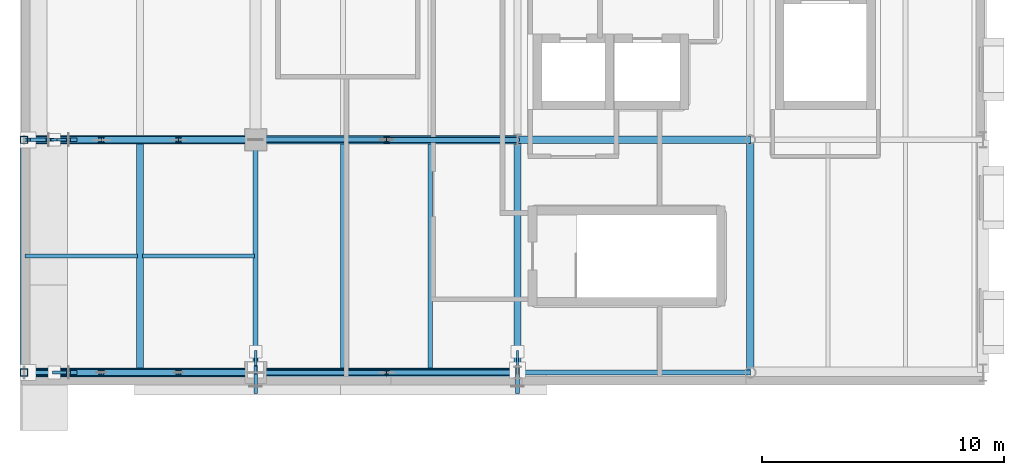
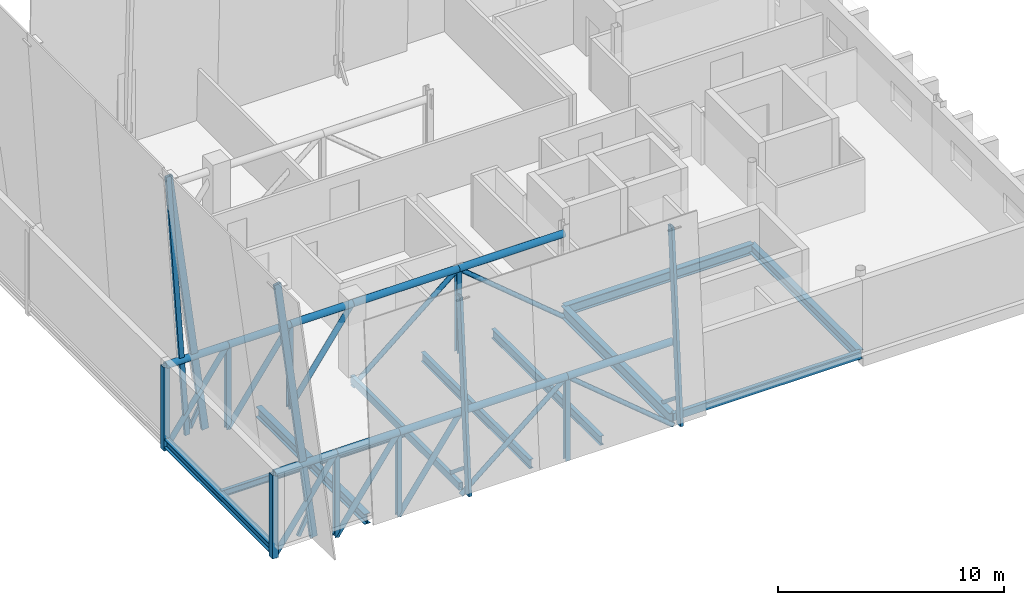
# One storey, part 2 of 10: 38 members, 11 beams.
"""IFC4 building model written with IfcOpenShell, lengths in metres."""

from ifc_helpers import new_model, si_unit, direction, frame, origin, origin_2d, place, context, subcontext, project, spatial, hollow_rectangle, hollow_circle, i_section, extrude, material, material_profile, profile_set, type_object, element, save


model = new_model("IFC4")

# Units and contexts
model_context = context("Model", 3, precision=1e-05, world=origin(), true_north=direction((0.0, 1.0)))
body_context = subcontext(model_context, "Body", "Model", "MODEL_VIEW")
ifc_project = project(units=[si_unit("LENGTHUNIT", "METRE"), si_unit("AREAUNIT", "SQUARE_METRE"), si_unit("VOLUMEUNIT", "CUBIC_METRE"), si_unit("PLANEANGLEUNIT", "RADIAN"), si_unit("MASSUNIT", "GRAM", prefix="KILO")], contexts=[model_context])

# Site, building, storey
site_placement = place(None, origin())
site = spatial("IfcSite", under=ifc_project, at=site_placement, CompositionType="ELEMENT")
building_placement = place(site_placement, origin())
building = spatial("IfcBuilding", under=site, at=building_placement, Name="Zereglee Splitstone Museum", CompositionType="ELEMENT")
storey_placement = place(building_placement, frame((0.0, 0.0, 25.5)))
storey = spatial("IfcBuildingStorey", under=building, at=storey_placement, Name="L05", CompositionType="ELEMENT", Elevation=25.5)

# Members
ifc_material_1 = material(Name="Steel S355J2H", Category="steel")
ifc_material_profile_1 = material_profile(ifc_material_1, hollow_circle(Radius=0.122314453125, WallThickness=0.012451171875, at=origin_2d()), Name="CHS 244.5x12.5")
ifc_profile_set_1 = profile_set([ifc_material_profile_1], Name="Steel S355J2H")
member_type_1 = type_object("IfcMemberType", Name="TB-02", PredefinedType="BRACE", material=ifc_profile_set_1)
for number, where, z_axis, x_axis, name in (
    (1, (9.60009765625, 0.0, -0.89990234375), (0.768215585699, 0.0, 0.640191232281), (0.0, 1.0, 0.0), "Cantilever Truss CT-01 Web Brace L05-4"),
    (2, (20.39990234375, 0.0, -0.89990234375), (-0.768215585699, 0.0, 0.640191232281), (0.0, -1.0, 0.0), "Cantilever Truss CT-01 Web Brace L05-5"),
    (3, (9.60009765625, 9.60009765625, -0.89990234375), (0.768215585699, 0.0, 0.640191232281), (0.0, 1.0, 0.0), "Cantilever Truss CT-02 Web Brace L05-4"),
    (4, (20.39990234375, 9.60009765625, -0.89990234375), (-0.768215585699, 0.0, 0.640191232281), (0.0, -1.0, 0.0), "Cantilever Truss CT-02 Web Brace L05-5"),
):
    element("IfcMember", number, at=place(storey_placement, frame(where, z_axis=z_axis, x_axis=x_axis)), inside=storey, type_object=member_type_1, Name=name, PredefinedType="BRACE", context=body_context, shape_type="SweptSolid", body=[
        extrude(hollow_circle(Radius=0.122314453125, WallThickness=0.012451171875, at=origin_2d()), origin(), (0.0, 0.0, 1.0), 7.029052734375),
    ])
ifc_material_profile_2 = material_profile(ifc_material_1, hollow_circle(Radius=0.136474609375, WallThickness=0.012451171875, at=origin_2d()), Name="CHS 273.0x12.5")
ifc_profile_set_2 = profile_set([ifc_material_profile_2], Name="Steel S355J2H")
member_type_2 = type_object("IfcMemberType", Name="TB-01", PredefinedType="BRACE", material=ifc_profile_set_2)
for number, where, z_axis, x_axis, name in (
    (5, (0.050048828125, 0.0, -0.89990234375), (0.577515842543, 0.0, 0.816379477701), (0.0, 1.0, 0.0), "Cantilever Truss CT-01 Web Brace L05-1"),
    (6, (3.2333984375, 0.0, -0.89990234375), (0.577515842543, 0.0, 0.816379477701), (0.0, 1.0, 0.0), "Cantilever Truss CT-01 Web Brace L05-2"),
    (7, (6.416748046875, 0.0, -0.89990234375), (0.577515842543, 0.0, 0.816379477701), (0.0, 1.0, 0.0), "Cantilever Truss CT-01 Web Brace L05-3"),
    (8, (0.050048828125, 9.60009765625, -0.89990234375), (0.577515842543, 0.0, 0.816379477701), (0.0, 1.0, 0.0), "Cantilever Truss CT-02 Web Brace L05-1"),
    (9, (3.2333984375, 9.60009765625, -0.89990234375), (0.577515842543, 0.0, 0.816379477701), (0.0, 1.0, 0.0), "Cantilever Truss CT-02 Web Brace L05-2"),
    (10, (6.416748046875, 9.60009765625, -0.89990234375), (0.577515842543, 0.0, 0.816379477701), (0.0, 1.0, 0.0), "Cantilever Truss CT-02 Web Brace L05-3"),
):
    element("IfcMember", number, at=place(storey_placement, frame(where, z_axis=z_axis, x_axis=x_axis)), inside=storey, type_object=member_type_2, Name=name, PredefinedType="BRACE", context=body_context, shape_type="SweptSolid", body=[
        extrude(hollow_circle(Radius=0.136474609375, WallThickness=0.012451171875, at=origin_2d()), origin(), (0.0, 0.0, 1.0), 5.51220703125),
    ])
ifc_material_profile_3 = material_profile(ifc_material_1, hollow_circle(Radius=0.177734375, WallThickness=0.01611328125, at=origin_2d()), Name="CHS 355.6x16")
ifc_profile_set_3 = profile_set([ifc_material_profile_3], Name="Steel S355J2H")
member_type_3 = type_object("IfcMemberType", Name="TC-04", PredefinedType="CHORD", material=ifc_profile_set_3)
for number, where, z_axis, x_axis, name in (
    (11, (0.050048828125, 0.0, 3.60009765625), (1.0, 0.0, 0.0), (0.0, 1.0, 0.0), "Cantilever Truss CT-01 Top Chord L05-1"),
    (12, (3.2333984375, 0.0, 3.60009765625), (1.0, 0.0, 0.0), (0.0, 1.0, 0.0), "Cantilever Truss CT-01 Top Chord L05-2"),
    (13, (6.416748046875, 0.0, 3.60009765625), (1.0, 0.0, 0.0), (0.0, 1.0, 0.0), "Cantilever Truss CT-01 Top Chord L05-3"),
):
    element("IfcMember", number, at=place(storey_placement, frame(where, z_axis=z_axis, x_axis=x_axis)), inside=storey, type_object=member_type_3, Name=name, PredefinedType="CHORD", context=body_context, shape_type="SweptSolid", body=[
        extrude(hollow_circle(Radius=0.177734375, WallThickness=0.01611328125, at=origin_2d()), origin(), (0.0, 0.0, 1.0), 3.183349609375),
    ])
for number, where, z_axis, x_axis, name in (
    (14, (9.60009765625, 0.0, 3.60009765625), (1.0, 0.0, 0.0), (0.0, 1.0, 0.0), "Cantilever Truss CT-01 Top Chord L05-4"),
    (15, (15.0, 0.0, 3.60009765625), (1.0, 0.0, 0.0), (0.0, 1.0, 0.0), "Cantilever Truss CT-01 Top Chord L05-5"),
):
    element("IfcMember", number, at=place(storey_placement, frame(where, z_axis=z_axis, x_axis=x_axis)), inside=storey, type_object=member_type_3, Name=name, PredefinedType="CHORD", context=body_context, shape_type="SweptSolid", body=[
        extrude(hollow_circle(Radius=0.177734375, WallThickness=0.01611328125, at=origin_2d()), origin(), (0.0, 0.0, 1.0), 5.39990234375),
    ])
for number, where, z_axis, x_axis, name in (
    (16, (0.050048828125, 9.60009765625, 3.60009765625), (1.0, 0.0, 0.0), (0.0, 1.0, 0.0), "Cantilever Truss CT-02 Top Chord L05-1"),
    (17, (3.2333984375, 9.60009765625, 3.60009765625), (1.0, 0.0, 0.0), (0.0, 1.0, 0.0), "Cantilever Truss CT-02 Top Chord L05-2"),
    (18, (6.416748046875, 9.60009765625, 3.60009765625), (1.0, 0.0, 0.0), (0.0, 1.0, 0.0), "Cantilever Truss CT-02 Top Chord L05-3"),
):
    element("IfcMember", number, at=place(storey_placement, frame(where, z_axis=z_axis, x_axis=x_axis)), inside=storey, type_object=member_type_3, Name=name, PredefinedType="CHORD", context=body_context, shape_type="SweptSolid", body=[
        extrude(hollow_circle(Radius=0.177734375, WallThickness=0.01611328125, at=origin_2d()), origin(), (0.0, 0.0, 1.0), 3.183349609375),
    ])
for number, where, z_axis, x_axis, name in (
    (19, (9.60009765625, 9.60009765625, 3.60009765625), (1.0, 0.0, 0.0), (0.0, 1.0, 0.0), "Cantilever Truss CT-02 Top Chord L05-4"),
    (20, (15.0, 9.60009765625, 3.60009765625), (1.0, 0.0, 0.0), (0.0, 1.0, 0.0), "Cantilever Truss CT-02 Top Chord L05-5"),
):
    element("IfcMember", number, at=place(storey_placement, frame(where, z_axis=z_axis, x_axis=x_axis)), inside=storey, type_object=member_type_3, Name=name, PredefinedType="CHORD", context=body_context, shape_type="SweptSolid", body=[
        extrude(hollow_circle(Radius=0.177734375, WallThickness=0.01611328125, at=origin_2d()), origin(), (0.0, 0.0, 1.0), 5.39990234375),
    ])

# Beams
ifc_material_2 = material(Name="Steel S355J2", Category="steel")
ifc_material_profile_4 = material_profile(ifc_material_2, i_section(OverallWidth=0.300048828125, OverallDepth=0.5, WebThickness=0.014404296875, FlangeThickness=0.028076171875, FilletRadius=0.027099609375, at=origin_2d()), Name="HE 500 B")
ifc_profile_set_4 = profile_set([ifc_material_profile_4], Name="Steel S355J2")
beam_type_1 = type_object("IfcBeamType", Name="BG-12", PredefinedType="BEAM", material=ifc_profile_set_4)
beam_1_placement = place(storey_placement, frame((30.0, 0.0, -0.5), z_axis=(0.0, 1.0, 0.0), x_axis=(-1.0, 0.0, 0.0)))
element("IfcBeam", 21, at=beam_1_placement, inside=storey, type_object=beam_type_1, Name="Primary Girder L05 5 (0.0-9.6)", PredefinedType="BEAM", context=body_context, shape_type="SweptSolid", body=[
    extrude(i_section(OverallWidth=0.300048828125, OverallDepth=0.5, WebThickness=0.014404296875, FlangeThickness=0.028076171875, FilletRadius=0.027099609375, at=origin_2d()), origin(), (0.0, 0.0, 1.0), 9.60009765625),
])
ifc_material_profile_5 = material_profile(ifc_material_2, i_section(OverallWidth=0.300048828125, OverallDepth=0.550048828125, WebThickness=0.014892578125, FlangeThickness=0.029052734375, FilletRadius=0.027099609375, at=origin_2d()), Name="HE 550 B")
ifc_profile_set_5 = profile_set([ifc_material_profile_5], Name="Steel S355J2")
beam_type_2 = type_object("IfcBeamType", Name="BG-11", PredefinedType="BEAM", material=ifc_profile_set_5)
for number, where, z_axis, x_axis, name in (
    (22, (20.39990234375, 9.60009765625, -0.52490234375), (1.0, 0.0, 0.0), (0.0, 1.0, 0.0), "Primary Girder L05 B (20.4-30.0)"),
    (23, (4.824951171875, 0.0, -0.52490234375), (0.0, 1.0, 0.0), (-1.0, 0.0, 0.0), "Cantilever Transverse Girder L05 X=4.83"),
):
    element("IfcBeam", number, at=place(storey_placement, frame(where, z_axis=z_axis, x_axis=x_axis)), inside=storey, type_object=beam_type_2, Name=name, PredefinedType="BEAM", context=body_context, shape_type="SweptSolid", body=[
        extrude(i_section(OverallWidth=0.300048828125, OverallDepth=0.550048828125, WebThickness=0.014892578125, FlangeThickness=0.029052734375, FilletRadius=0.027099609375, at=origin_2d()), origin(), (0.0, 0.0, 1.0), 9.60009765625),
    ])
ifc_material_profile_6 = material_profile(ifc_material_2, i_section(OverallWidth=0.300048828125, OverallDepth=0.64990234375, WebThickness=0.01611328125, FlangeThickness=0.031005859375, FilletRadius=0.027099609375, at=origin_2d()), Name="HE 650 B")
ifc_profile_set_6 = profile_set([ifc_material_profile_6], Name="Steel S355J2")
beam_type_3 = type_object("IfcBeamType", Name="BG-09", PredefinedType="BEAM", material=ifc_profile_set_6)
beam_2_placement = place(storey_placement, frame((20.39990234375, 0.0, -0.574951171875), z_axis=(0.0, 1.0, 0.0), x_axis=(-1.0, 0.0, 0.0)))
element("IfcBeam", 24, at=beam_2_placement, inside=storey, type_object=beam_type_3, Name="Primary Girder L05 4 (0.0-9.6)", PredefinedType="BEAM", context=body_context, shape_type="SweptSolid", body=[
    extrude(i_section(OverallWidth=0.300048828125, OverallDepth=0.64990234375, WebThickness=0.01611328125, FlangeThickness=0.031005859375, FilletRadius=0.027099609375, at=origin_2d()), origin(), (0.0, 0.0, 1.0), 9.60009765625),
])
ifc_material_profile_7 = material_profile(ifc_material_2, i_section(OverallWidth=0.169921875, OverallDepth=0.360107421875, WebThickness=0.008056640625, FlangeThickness=0.0126953125, FilletRadius=0.01806640625, at=origin_2d()), Name="IPE 360")
ifc_profile_set_7 = profile_set([ifc_material_profile_7], Name="Steel S355J2")
beam_type_4 = type_object("IfcBeamType", Name="BJ-04", PredefinedType="JOIST", material=ifc_profile_set_7)
beam_3_placement = place(storey_placement, frame((0.090087890625, 4.800048828125, -0.429931640625), z_axis=(1.0, 0.0, 0.0), x_axis=(0.0, 1.0, 0.0)))
element("IfcBeam", 25, at=beam_3_placement, inside=storey, type_object=beam_type_4, Name="Cantilever Floor Joist L05-1648", PredefinedType="JOIST", context=body_context, shape_type="SweptSolid", body=[
    extrude(i_section(OverallWidth=0.169921875, OverallDepth=0.360107421875, WebThickness=0.008056640625, FlangeThickness=0.0126953125, FilletRadius=0.01806640625, at=origin_2d()), origin(), (0.0, 0.0, 1.0), 4.635009765625),
])
beam_4_placement = place(storey_placement, frame((4.925048828125, 4.800048828125, -0.429931640625), z_axis=(1.0, 0.0, 0.0), x_axis=(0.0, 1.0, 0.0)))
element("IfcBeam", 26, at=beam_4_placement, inside=storey, type_object=beam_type_4, Name="Cantilever Floor Joist L05-1649", PredefinedType="JOIST", context=body_context, shape_type="SweptSolid", body=[
    extrude(i_section(OverallWidth=0.169921875, OverallDepth=0.360107421875, WebThickness=0.008056640625, FlangeThickness=0.0126953125, FilletRadius=0.01806640625, at=origin_2d()), origin(), (0.0, 0.0, 1.0), 4.625),
])
ifc_material_profile_8 = material_profile(ifc_material_2, i_section(OverallWidth=0.199951171875, OverallDepth=0.5, WebThickness=0.01025390625, FlangeThickness=0.01611328125, FilletRadius=0.02099609375, at=origin_2d()), Name="IPE 500")
ifc_profile_set_8 = profile_set([ifc_material_profile_8], Name="Steel S355J2")
beam_type_5 = type_object("IfcBeamType", Name="BJ-01", PredefinedType="JOIST", material=ifc_profile_set_8)
for number, where, z_axis, x_axis, name in (
    (27, (13.199951171875, 0.0, -0.5), (0.0, 1.0, 0.0), (-1.0, 0.0, 0.0), "Secondary Floor Joist L05-1583"),
    (28, (16.800048828125, 0.0, -0.5), (0.0, 1.0, 0.0), (-1.0, 0.0, 0.0), "Secondary Floor Joist L05-1584"),
):
    element("IfcBeam", number, at=place(storey_placement, frame(where, z_axis=z_axis, x_axis=x_axis)), inside=storey, type_object=beam_type_5, Name=name, PredefinedType="JOIST", context=body_context, shape_type="SweptSolid", body=[
        extrude(i_section(OverallWidth=0.199951171875, OverallDepth=0.5, WebThickness=0.01025390625, FlangeThickness=0.01611328125, FilletRadius=0.02099609375, at=origin_2d()), origin(), (0.0, 0.0, 1.0), 9.60009765625),
    ])

# Members
ifc_material_profile_9 = material_profile(ifc_material_2, i_section(OverallWidth=0.239990234375, OverallDepth=0.239990234375, WebThickness=0.010009765625, FlangeThickness=0.01708984375, FilletRadius=0.02099609375, at=origin_2d()), Name="HE 240 B")
ifc_profile_set_9 = profile_set([ifc_material_profile_9], Name="Steel S355J2")
member_type_4 = type_object("IfcMemberType", Name="TP-02", PredefinedType="POST", material=ifc_profile_set_9)
for number, where, z_axis, x_axis, name in (
    (29, (3.2333984375, 0.0, -0.89990234375), (0.0, 0.0, 1.0), (1.0, 0.0, 0.0), "Cantilever Truss CT-01 Post L05-2"),
    (30, (6.416748046875, 0.0, -0.89990234375), (0.0, 0.0, 1.0), (1.0, 0.0, 0.0), "Cantilever Truss CT-01 Post L05-3"),
    (31, (15.0, 0.0, -0.89990234375), (0.0, 0.0, 1.0), (1.0, 0.0, 0.0), "Cantilever Truss CT-01 Post L05-4"),
    (32, (3.2333984375, 9.60009765625, -0.89990234375), (0.0, 0.0, 1.0), (1.0, 0.0, 0.0), "Cantilever Truss CT-02 Post L05-2"),
    (33, (6.416748046875, 9.60009765625, -0.89990234375), (0.0, 0.0, 1.0), (1.0, 0.0, 0.0), "Cantilever Truss CT-02 Post L05-3"),
    (34, (15.0, 9.60009765625, -0.89990234375), (0.0, 0.0, 1.0), (1.0, 0.0, 0.0), "Cantilever Truss CT-02 Post L05-4"),
):
    element("IfcMember", number, at=place(storey_placement, frame(where, z_axis=z_axis, x_axis=x_axis)), inside=storey, type_object=member_type_4, Name=name, PredefinedType="POST", context=body_context, shape_type="SweptSolid", body=[
        extrude(i_section(OverallWidth=0.239990234375, OverallDepth=0.239990234375, WebThickness=0.010009765625, FlangeThickness=0.01708984375, FilletRadius=0.02099609375, at=origin_2d()), origin(), (0.0, 0.0, 1.0), 4.5),
    ])
ifc_material_profile_10 = material_profile(ifc_material_1, hollow_rectangle(XDim=0.300048828125, YDim=0.300048828125, WallThickness=0.01611328125, at=origin_2d()), Name="SHS 300x300x16")
ifc_profile_set_10 = profile_set([ifc_material_profile_10], Name="Steel S355J2H")
member_type_5 = type_object("IfcMemberType", Name="TP-01", PredefinedType="POST", material=ifc_profile_set_10)
for number, where, z_axis, x_axis, name in (
    (35, (0.050048828125, 0.0, -0.89990234375), (0.0, 0.0, 1.0), (1.0, 0.0, 0.0), "Cantilever Truss CT-01 Post L05-1"),
    (36, (0.050048828125, 9.60009765625, -0.89990234375), (0.0, 0.0, 1.0), (1.0, 0.0, 0.0), "Cantilever Truss CT-02 Post L05-1"),
):
    element("IfcMember", number, at=place(storey_placement, frame(where, z_axis=z_axis, x_axis=x_axis)), inside=storey, type_object=member_type_5, Name=name, PredefinedType="POST", context=body_context, shape_type="SweptSolid", body=[
        extrude(hollow_rectangle(XDim=0.300048828125, YDim=0.300048828125, WallThickness=0.01611328125, at=origin_2d()), origin(), (0.0, 0.0, 1.0), 4.5),
    ])

# Beams
ifc_material_profile_11 = material_profile(ifc_material_2, i_section(OverallWidth=0.300048828125, OverallDepth=0.449951171875, WebThickness=0.013916015625, FlangeThickness=0.02587890625, FilletRadius=0.027099609375, at=origin_2d()), Name="HE 450 B")
ifc_profile_set_11 = profile_set([ifc_material_profile_11], Name="Steel S355J2")
beam_type_6 = type_object("IfcBeamType", Name="SP-02", PredefinedType="SPANDREL", material=ifc_profile_set_11)
beam_5_placement = place(storey_placement, frame((0.050048828125, 0.0, -0.47509765625), z_axis=(0.0, 1.0, 0.0), x_axis=(-1.0, 0.0, 0.0)))
element("IfcBeam", 37, at=beam_5_placement, inside=storey, type_object=beam_type_6, Name="Cantilever Transverse Girder L05 X=0.05", PredefinedType="SPANDREL", context=body_context, shape_type="SweptSolid", body=[
    extrude(i_section(OverallWidth=0.300048828125, OverallDepth=0.449951171875, WebThickness=0.013916015625, FlangeThickness=0.02587890625, FilletRadius=0.027099609375, at=origin_2d()), origin(), (0.0, 0.0, 1.0), 9.60009765625),
])
ifc_material_profile_12 = material_profile(ifc_material_1, hollow_rectangle(XDim=0.199951171875, YDim=0.39990234375, WallThickness=0.01611328125, at=origin_2d()), Name="RHS 400x200x16")
ifc_profile_set_12 = profile_set([ifc_material_profile_12], Name="Steel S355J2H")
beam_type_7 = type_object("IfcBeamType", Name="SP-04", PredefinedType="SPANDREL", material=ifc_profile_set_12)
for number, where, z_axis, x_axis, name in (
    (38, (20.39990234375, 0.0, -0.449951171875), (1.0, 0.0, 0.0), (0.0, 1.0, 0.0), "Primary Girder L05 A (20.4-30.0)"),
    (39, (9.60009765625, 0.0, -0.449951171875), (0.0, 1.0, 0.0), (-1.0, 0.0, 0.0), "Primary Girder L05 2 (0.0-9.6)"),
):
    element("IfcBeam", number, at=place(storey_placement, frame(where, z_axis=z_axis, x_axis=x_axis)), inside=storey, type_object=beam_type_7, Name=name, PredefinedType="SPANDREL", context=body_context, shape_type="SweptSolid", body=[
        extrude(hollow_rectangle(XDim=0.199951171875, YDim=0.39990234375, WallThickness=0.01611328125, at=origin_2d()), origin(), (0.0, 0.0, 1.0), 9.60009765625),
    ])

# Members
ifc_material_profile_13 = material_profile(ifc_material_1, hollow_rectangle(XDim=0.14990234375, YDim=0.25, WallThickness=0.010009765625, at=origin_2d()), Name="RHS 250x150x10")
ifc_profile_set_13 = profile_set([ifc_material_profile_13], Name="Steel S355J2H")
member_type_6 = type_object("IfcMemberType", Name="FS-R2", PredefinedType="STRUT", material=ifc_profile_set_13)
member_1_placement = place(storey_placement, frame((1.154296875, 9.60009765625, -0.5), z_axis=(-0.067700907333, 0.0, 0.997705661579), x_axis=(0.0, -1.0, 0.0)))
element("IfcMember", 40, at=member_1_placement, inside=storey, type_object=member_type_6, Name="Split-Rock Continuous Facet Strut FH-V1W-M L05-01", PredefinedType="STRUT", context=body_context, shape_type="SweptSolid", body=[
    extrude(hollow_rectangle(XDim=0.14990234375, YDim=0.25, WallThickness=0.010009765625, at=origin_2d()), origin(), (0.0, 0.0, 1.0), 14.31298828125),
])
ifc_material_profile_14 = material_profile(ifc_material_1, hollow_rectangle(XDim=0.14990234375, YDim=0.35009765625, WallThickness=0.012451171875, at=origin_2d()), Name="RHS 350x150x12.5")
ifc_profile_set_14 = profile_set([ifc_material_profile_14], Name="Steel S355J2H")
member_type_7 = type_object("IfcMemberType", Name="FS-R0", PredefinedType="STRUT", material=ifc_profile_set_14)
for number, where, z_axis, x_axis, name in (
    (41, (2.065673828125, 0.0, -0.5), (-0.128367822249, 0.0, 0.991726626753), (0.0, -1.0, 0.0), "Split-Rock Continuous Facet Strut FH-V1W-S L05-01"),
    (42, (2.065673828125, 9.60009765625, -0.5), (-0.128367822249, 0.0, 0.991726626753), (0.0, -1.0, 0.0), "Split-Rock Continuous Facet Strut FH-V1W-S L05-02"),
):
    element("IfcMember", number, at=place(storey_placement, frame(where, z_axis=z_axis, x_axis=x_axis)), inside=storey, type_object=member_type_7, Name=name, PredefinedType="STRUT", context=body_context, shape_type="SweptSolid", body=[
        extrude(hollow_rectangle(XDim=0.14990234375, YDim=0.35009765625, WallThickness=0.012451171875, at=origin_2d()), origin(), (0.0, 0.0, 1.0), 14.399169921875),
    ])
for number, where, z_axis, x_axis, name in (
    (43, (9.60009765625, -0.68212890625, -0.5), (0.0, 0.076814196174, 0.997045424876), (-1.0, 0.0, 0.0), "Split-Rock Continuous Facet Strut FH-V1S-W L05-01"),
    (44, (20.39990234375, -0.68212890625, -0.5), (0.0, 0.076814196174, 0.997045424876), (-1.0, 0.0, 0.0), "Split-Rock Continuous Facet Strut FH-V1S-W L05-02"),
):
    element("IfcMember", number, at=place(storey_placement, frame(where, z_axis=z_axis, x_axis=x_axis)), inside=storey, type_object=member_type_7, Name=name, PredefinedType="STRUT", context=body_context, shape_type="SweptSolid", body=[
        extrude(hollow_rectangle(XDim=0.14990234375, YDim=0.35009765625, WallThickness=0.012451171875, at=origin_2d()), origin(), (0.0, 0.0, 1.0), 10.310546875),
    ])
ifc_material_profile_15 = material_profile(ifc_material_1, hollow_rectangle(XDim=0.10009765625, YDim=0.179931640625, WallThickness=0.008056640625, at=origin_2d()), Name="RHS 180x100x8")
ifc_profile_set_15 = profile_set([ifc_material_profile_15], Name="Steel S355J2H")
member_type_8 = type_object("IfcMemberType", Name="FS-T2", PredefinedType="STRUT", material=ifc_profile_set_15)
for number, where, z_axis, x_axis, name in (
    (45, (9.60009765625, 0.85009765625, -0.2099609375), (0.0, -0.774556042247, 0.632505286475), (1.0, 0.0, 0.0), "Facet Tie-Back Strut FH-V1S-W L05-01"),
    (46, (20.39990234375, 0.85009765625, -0.2099609375), (0.0, -0.774556042247, 0.632505286475), (1.0, 0.0, 0.0), "Facet Tie-Back Strut FH-V1S-W L05-02"),
):
    element("IfcMember", number, at=place(storey_placement, frame(where, z_axis=z_axis, x_axis=x_axis)), inside=storey, type_object=member_type_8, Name=name, PredefinedType="STRUT", context=body_context, shape_type="SweptSolid", body=[
        extrude(hollow_rectangle(XDim=0.10009765625, YDim=0.179931640625, WallThickness=0.008056640625, at=origin_2d()), origin(), (0.0, 0.0, 1.0), 1.833740234375),
    ])
ifc_material_profile_16 = material_profile(ifc_material_1, hollow_rectangle(XDim=0.1201171875, YDim=0.199951171875, WallThickness=0.008056640625, at=origin_2d()), Name="RHS 200x120x8")
ifc_profile_set_16 = profile_set([ifc_material_profile_16], Name="Steel S355J2H")
member_type_9 = type_object("IfcMemberType", Name="FS-T1", PredefinedType="STRUT", material=ifc_profile_set_16)
for number, where, z_axis, x_axis, name in (
    (47, (1.300048828125, 0.0, -0.2099609375), (0.446082960648, 0.0, 0.894991615726), (0.0, 1.0, 0.0), "Facet Tie-Back Strut FH-V1W-S L05-01"),
    (48, (1.300048828125, 9.60009765625, -0.2099609375), (0.446082960648, 0.0, 0.894991615726), (0.0, 1.0, 0.0), "Facet Tie-Back Strut FH-V1W-S L05-02"),
):
    element("IfcMember", number, at=place(storey_placement, frame(where, z_axis=z_axis, x_axis=x_axis)), inside=storey, type_object=member_type_9, Name=name, PredefinedType="STRUT", context=body_context, shape_type="SweptSolid", body=[
        extrude(hollow_rectangle(XDim=0.1201171875, YDim=0.199951171875, WallThickness=0.008056640625, at=origin_2d()), origin(), (0.0, 0.0, 1.0), 1.2958984375),
    ])
member_2_placement = place(storey_placement, frame((1.300048828125, 9.60009765625, -0.2099609375), z_axis=(-0.20596895927, 0.0, 0.978558525494), x_axis=(0.0, -1.0, 0.0)))
element("IfcMember", 49, at=member_2_placement, inside=storey, type_object=member_type_9, Name="Facet Tie-Back Strut FH-V1W-M L05-01", PredefinedType="STRUT", context=body_context, shape_type="SweptSolid", body=[
    extrude(hollow_rectangle(XDim=0.1201171875, YDim=0.199951171875, WallThickness=0.008056640625, at=origin_2d()), origin(), (0.0, 0.0, 1.0), 1.185302734375),
])

save(model, "model.ifc")
